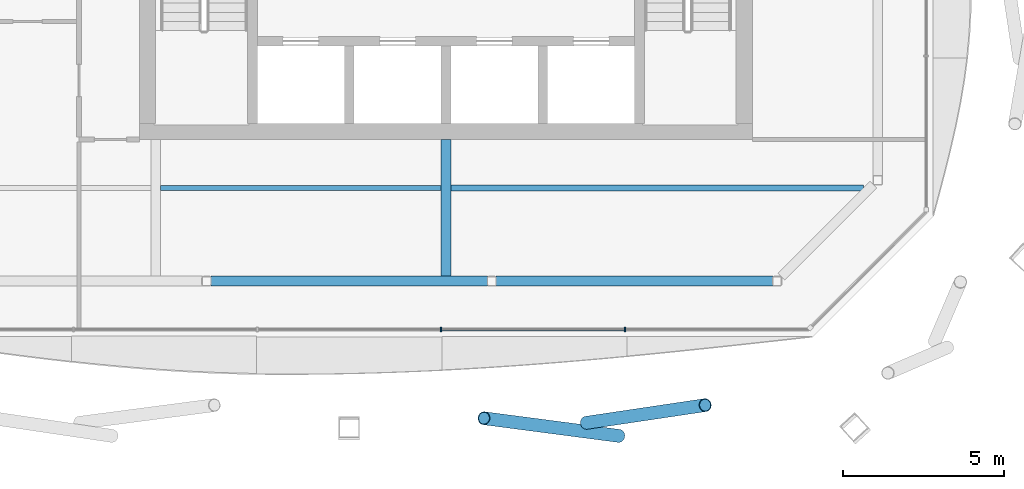
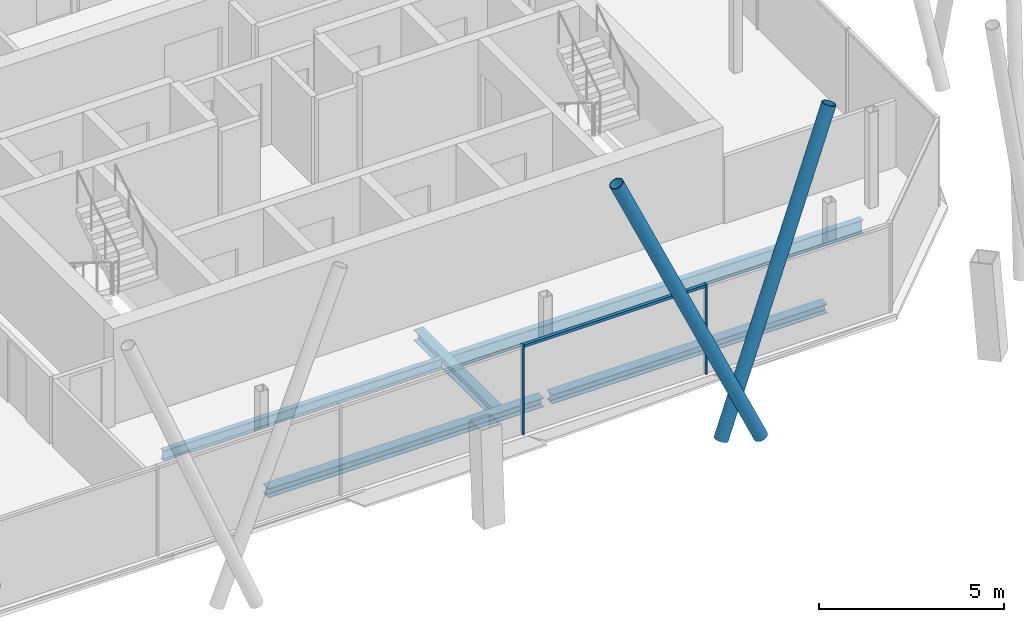
# One storey, part 5 of 17: 5 beams, 5 members, 1 element without a shape of its own.
"""IFC4 building model written with IfcOpenShell, lengths in metres."""

from ifc_helpers import new_model, si_unit, direction, frame, origin, origin_2d, place, context, subcontext, project, spatial, rectangle, hollow_circle, i_section, extrude, material, material_profile, profile_set, type_object, element, aggregate, save


model = new_model("IFC4")

# Units and contexts
model_context = context("Model", 3, precision=1e-05, world=origin(), true_north=direction((0.0, 1.0)))
body_context = subcontext(model_context, "Body", "Model", "MODEL_VIEW")
ifc_project = project(units=[si_unit("LENGTHUNIT", "METRE"), si_unit("AREAUNIT", "SQUARE_METRE"), si_unit("VOLUMEUNIT", "CUBIC_METRE"), si_unit("PLANEANGLEUNIT", "RADIAN"), si_unit("MASSUNIT", "GRAM", prefix="KILO")], contexts=[model_context])

# Site, building, storey
site_placement = place(None, origin())
site = spatial("IfcSite", under=ifc_project, at=site_placement, CompositionType="ELEMENT")
building_placement = place(site_placement, origin())
building = spatial("IfcBuilding", under=site, at=building_placement, Name="Tskaro Facet Tower", CompositionType="ELEMENT")
storey_placement = place(building_placement, frame((0.0, 0.0, 236.10009765625)))
storey = spatial("IfcBuildingStorey", under=building, at=storey_placement, Name="L61", CompositionType="ELEMENT", Elevation=236.10009765625)

# Members
ifc_material_1 = material(Name="Steel S355J2H", Category="steel")
ifc_material_profile_1 = material_profile(ifc_material_1, hollow_circle(Radius=0.203125, WallThickness=0.02001953125, at=origin_2d()), Name="CHS 406.4x20")
ifc_profile_set_1 = profile_set([ifc_material_profile_1], Name="Steel S355J2H")
member_type_1 = type_object("IfcMemberType", Name="CHS 406.4x20 brace", PredefinedType="BRACE", material=ifc_profile_set_1)
member_1_placement = place(storey_placement, frame((4.359619140625, -20.785888671875, 0.0), z_axis=(0.362320562479, 0.053968263188, 0.930489783165), x_axis=(-0.14732632863, 0.989087939919, 0.0)))
element("IfcMember", 1, at=member_1_placement, inside=storey, type_object=member_type_1, Name="CHS 406.4x20 XB02A/5", PredefinedType="BRACE", context=body_context, shape_type="SweptSolid", body=[
    extrude(hollow_circle(Radius=0.203125, WallThickness=0.02001953125, at=origin_2d()), origin(), (0.0, 0.0, 1.0), 10.156005859375),
])
member_2_placement = place(storey_placement, frame((5.360107421875, -21.192138671875, 0.0), z_axis=(-0.403970182628, 0.052944112243, 0.913238748919), x_axis=(-0.129948174686, -0.991520787425, 0.0)))
element("IfcMember", 2, at=member_2_placement, inside=storey, type_object=member_type_1, Name="CHS 406.4x20 XB02B/5", PredefinedType="BRACE", context=body_context, shape_type="SweptSolid", body=[
    extrude(hollow_circle(Radius=0.203125, WallThickness=0.02001953125, at=origin_2d()), origin(), (0.0, 0.0, 1.0), 10.34765625),
])

# Curtain wall, members
ifc_material_2 = material(Name="Bronze anodised aluminium 6063-T6", Category="aluminium")
curtain_wall_type = type_object("IfcCurtainWallType", Name="Bronze residence curtain wall (FW3)", PredefinedType="NOTDEFINED", material=ifc_material_2)
curtain_wall_placement = place(storey_placement, origin())
curtain_wall = element("IfcCurtainWall", 3, at=curtain_wall_placement, inside=storey, type_object=curtain_wall_type, Name="FW3 south facet L61", PredefinedType="NOTDEFINED")
ifc_material_profile_2 = material_profile(ifc_material_2, rectangle(XDim=0.050048828125, YDim=0.139892578125, at=origin_2d()), Name="Mullion 50x140")
ifc_profile_set_2 = profile_set([ifc_material_profile_2], Name="Bronze anodised aluminium 6063-T6")
member_type_2 = type_object("IfcMemberType", Name="FW3 bronze mullion 50x140", PredefinedType="MULLION", material=ifc_profile_set_2)
member_3_placement = place(storey_placement, frame((-0.1494140625, -17.888916015625, 0.0), z_axis=(0.0, 0.0, 1.0), x_axis=(1.0, 0.0, 0.0)))
member_3 = element("IfcMember", 4, at=member_3_placement, type_object=member_type_2, Name="FW3 south mullion 3", PredefinedType="MULLION", context=body_context, shape_type="SweptSolid", body=[
    extrude(rectangle(XDim=0.050048828125, YDim=0.139892578125, at=origin_2d()), origin(), (0.0, 0.0, 1.0), 2.949951171875),
])
member_4_placement = place(storey_placement, frame((5.5517578125, -17.888916015625, 0.0), z_axis=(0.0, 0.0, 1.0), x_axis=(1.0, 0.0, 0.0)))
member_4 = element("IfcMember", 5, at=member_4_placement, type_object=member_type_2, Name="FW3 south mullion 4", PredefinedType="MULLION", context=body_context, shape_type="SweptSolid", body=[
    extrude(rectangle(XDim=0.050048828125, YDim=0.139892578125, at=origin_2d()), origin(), (0.0, 0.0, 1.0), 2.949951171875),
])
ifc_material_profile_3 = material_profile(ifc_material_2, rectangle(XDim=0.10009765625, YDim=0.090087890625, at=origin_2d()), Name="Transom 100x90")
ifc_profile_set_3 = profile_set([ifc_material_profile_3], Name="Bronze anodised aluminium 6063-T6")
member_type_3 = type_object("IfcMemberType", Name="FW3 bronze transom 100x90", PredefinedType="USERDEFINED", material=ifc_profile_set_3)
member_5_placement = place(storey_placement, frame((-0.12451171875, -17.888916015625, 2.90478515625), z_axis=(1.0, 0.0, 0.0), x_axis=(0.0, 1.0, 0.0)))
member_5 = element("IfcMember", 6, at=member_5_placement, type_object=member_type_3, Name="FW3 south transom 4.1", ObjectType="TRANSOM", PredefinedType="USERDEFINED", context=body_context, shape_type="SweptSolid", body=[
    extrude(rectangle(XDim=0.10009765625, YDim=0.090087890625, at=origin_2d()), origin(), (0.0, 0.0, 1.0), 5.6513671875),
])
aggregate(curtain_wall, [member_3, member_4, member_5])

# Beams
ifc_material_3 = material(Name="Steel S355J2", Category="steel")
ifc_material_profile_4 = material_profile(ifc_material_3, i_section(OverallWidth=0.300048828125, OverallDepth=0.300048828125, WebThickness=0.010986328125, FlangeThickness=0.01904296875, FilletRadius=0.027099609375, at=origin_2d()), Name="HE 300 B")
ifc_profile_set_4 = profile_set([ifc_material_profile_4], Name="Steel S355J2")
beam_type_1 = type_object("IfcBeamType", Name="HE 300 B ring beam", PredefinedType="BEAM", material=ifc_profile_set_4)
beam_1_placement = place(storey_placement, frame((-7.29296875, -16.39111328125, -0.2900390625), z_axis=(1.0, 0.0, 0.0), x_axis=(0.0, 1.0, 0.0)))
element("IfcBeam", 7, at=beam_1_placement, inside=storey, type_object=beam_type_1, Name="HE 300 B EB2-5", PredefinedType="BEAM", context=body_context, shape_type="SweptSolid", body=[
    extrude(i_section(OverallWidth=0.300048828125, OverallDepth=0.300048828125, WebThickness=0.010986328125, FlangeThickness=0.01904296875, FilletRadius=0.027099609375, at=origin_2d()), origin(), (0.0, 0.0, 1.0), 8.5859375),
])
beam_2_placement = place(storey_placement, frame((1.552978515625, -16.39111328125, -0.2900390625), z_axis=(1.0, 0.0, 0.0), x_axis=(0.0, 1.0, 0.0)))
element("IfcBeam", 8, at=beam_2_placement, inside=storey, type_object=beam_type_1, Name="HE 300 B EB3-5", PredefinedType="BEAM", context=body_context, shape_type="SweptSolid", body=[
    extrude(i_section(OverallWidth=0.300048828125, OverallDepth=0.300048828125, WebThickness=0.010986328125, FlangeThickness=0.01904296875, FilletRadius=0.027099609375, at=origin_2d()), origin(), (0.0, 0.0, 1.0), 8.5849609375),
])
ifc_material_profile_5 = material_profile(ifc_material_3, i_section(OverallWidth=0.300048828125, OverallDepth=0.35009765625, WebThickness=0.010009765625, FlangeThickness=0.017578125, FilletRadius=0.027099609375, at=origin_2d()), Name="HE 360 A")
ifc_profile_set_5 = profile_set([ifc_material_profile_5], Name="Steel S355J2")
beam_type_2 = type_object("IfcBeamType", Name="HE 360 A girder", PredefinedType="BEAM", material=ifc_profile_set_5)
beam_3_placement = place(storey_placement, frame((0.0, -16.240966796875, -0.315185546875), z_axis=(0.0, 1.0, 0.0), x_axis=(-1.0, 0.0, 0.0)))
element("IfcBeam", 9, at=beam_3_placement, inside=storey, type_object=beam_type_2, Name="HE 360 A GB4-1-5", PredefinedType="BEAM", context=body_context, shape_type="SweptSolid", body=[
    extrude(i_section(OverallWidth=0.300048828125, OverallDepth=0.35009765625, WebThickness=0.010009765625, FlangeThickness=0.017578125, FilletRadius=0.027099609375, at=origin_2d()), origin(), (0.0, 0.0, 1.0), 4.240966796875),
])
ifc_material_profile_6 = material_profile(ifc_material_3, i_section(OverallWidth=0.159912109375, OverallDepth=0.330078125, WebThickness=0.007568359375, FlangeThickness=0.011474609375, FilletRadius=0.01806640625, at=origin_2d()), Name="IPE 330")
ifc_profile_set_6 = profile_set([ifc_material_profile_6], Name="Steel S355J2")
beam_type_3 = type_object("IfcBeamType", Name="IPE 330 secondary beam", PredefinedType="BEAM", material=ifc_profile_set_6)
beam_4_placement = place(storey_placement, frame((-8.85009765625, -13.5, -0.30517578125), z_axis=(1.0, 0.0, 0.0), x_axis=(0.0, 1.0, 0.0)))
element("IfcBeam", 10, at=beam_4_placement, inside=storey, type_object=beam_type_3, Name="IPE 330 SB2a-2-5", PredefinedType="BEAM", context=body_context, shape_type="SweptSolid", body=[
    extrude(i_section(OverallWidth=0.159912109375, OverallDepth=0.330078125, WebThickness=0.007568359375, FlangeThickness=0.011474609375, FilletRadius=0.01806640625, at=origin_2d()), origin(), (0.0, 0.0, 1.0), 8.7001953125),
])
ifc_material_profile_7 = material_profile(ifc_material_3, i_section(OverallWidth=0.18994140625, OverallDepth=0.449951171875, WebThickness=0.009521484375, FlangeThickness=0.0146484375, FilletRadius=0.02099609375, at=origin_2d()), Name="IPE 450")
ifc_profile_set_7 = profile_set([ifc_material_profile_7], Name="Steel S355J2")
beam_type_4 = type_object("IfcBeamType", Name="IPE 450 long secondary beam", PredefinedType="BEAM", material=ifc_profile_set_7)
beam_5_placement = place(storey_placement, frame((0.14990234375, -13.5, -0.364990234375), z_axis=(1.0, 0.0, 0.0), x_axis=(0.0, 1.0, 0.0)))
element("IfcBeam", 11, at=beam_5_placement, inside=storey, type_object=beam_type_4, Name="IPE 450 LSB2a-3-5", PredefinedType="BEAM", context=body_context, shape_type="SweptSolid", body=[
    extrude(i_section(OverallWidth=0.18994140625, OverallDepth=0.449951171875, WebThickness=0.009521484375, FlangeThickness=0.0146484375, FilletRadius=0.02099609375, at=origin_2d()), origin(), (0.0, 0.0, 1.0), 12.797119140625),
])

save(model, "model.ifc")
